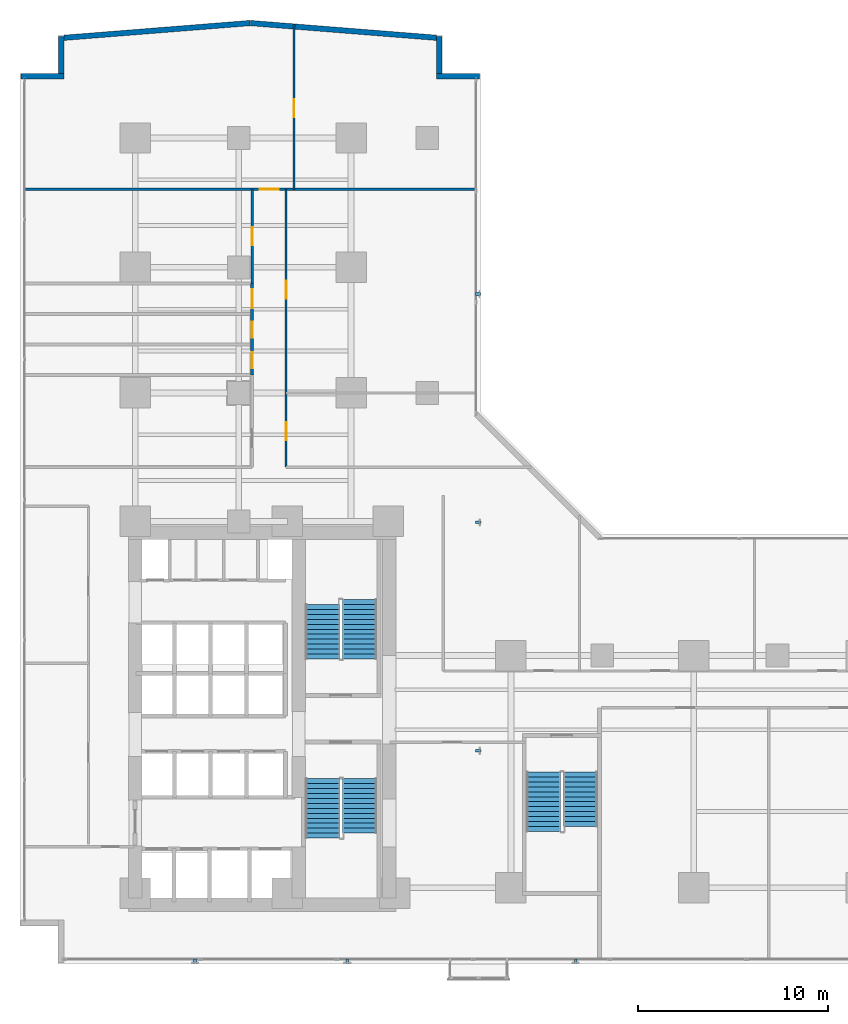
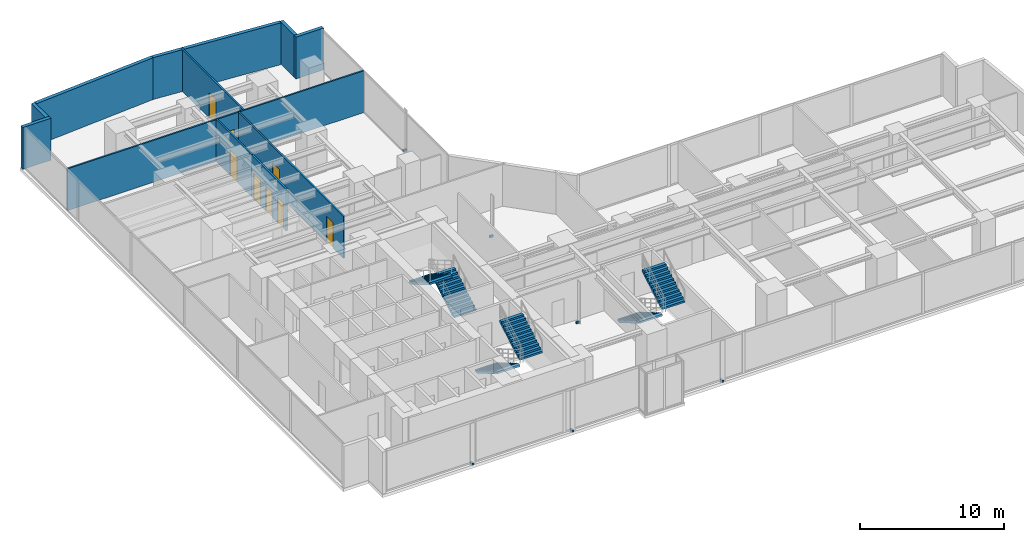
# One storey, part 24 of 26: 11 walls, 8 doors, 6 discrete accessories, 6 stair flights, 8 openings, 3 elements without a shape of their own.
"""IFC4 building model written with IfcOpenShell, lengths in metres."""

from ifc_helpers import new_model, si_unit, direction, frame, frame_2d, origin, origin_with_axes, origin_2d, place, context, subcontext, project, spatial, polyline, rectangle, outline, extrude, source, transform, mapped, material, layer, layer_set, type_object, element, fill, aggregate, save


model = new_model("IFC4")

# Units and contexts
model_context = context("Model", 3, precision=1e-05, world=origin(), true_north=direction((0.0, 1.0)))
body_context = subcontext(model_context, "Body", "Model", "MODEL_VIEW")
ifc_project = project(units=[si_unit("LENGTHUNIT", "METRE"), si_unit("AREAUNIT", "SQUARE_METRE"), si_unit("VOLUMEUNIT", "CUBIC_METRE"), si_unit("PLANEANGLEUNIT", "RADIAN"), si_unit("MASSUNIT", "GRAM", prefix="KILO")], contexts=[model_context])

# Site, building, storey
site_placement = place(None, origin())
site = spatial("IfcSite", under=ifc_project, at=site_placement, CompositionType="ELEMENT")
building_placement = place(site_placement, origin())
building = spatial("IfcBuilding", under=site, at=building_placement, Name="Kolvaren Waterfront Exchange", CompositionType="ELEMENT")
storey_placement = place(building_placement, frame((0.0, 0.0, 44.800048828125)))
storey = spatial("IfcBuildingStorey", under=building, at=storey_placement, Name="L11", CompositionType="ELEMENT", Elevation=44.800048828125)

# Walls
ifc_material_1 = material(Name="Precast concrete C40/50", Category="concrete")
ifc_layer_1 = layer(ifc_material_1, 0.280029296875, Name="Precast concrete C40/50")
ifc_layer_set_1 = layer_set([ifc_layer_1], Name="Precast concrete C40/50")
wall_type_1 = type_object("IfcWallType", Name="ARC-EXT-TERR-280", PredefinedType="SOLIDWALL", material=ifc_layer_set_1)
wall_1_placement = place(storey_placement, frame((23.300048828125, 47.840087890625, 0.0), z_axis=(0.0, 0.0, 1.0), x_axis=(1.0, 0.0, 0.0)))
element("IfcWall", 1, at=wall_1_placement, inside=storey, type_object=wall_type_1, Name="L11 notched corner spandrel pier NNE-A", PredefinedType="SOLIDWALL", context=body_context, shape_type="SweptSolid", body=[
    extrude(rectangle(XDim=2.239990234375, YDim=0.280029296875, at=frame_2d((1.1201171875, 0.0))), origin(), (0.0, 0.0, 1.0), 3.5400390625),
])
wall_2_placement = place(storey_placement, frame((23.43994140625, 47.97998046875, 0.0), z_axis=(0.0, 0.0, 1.0), x_axis=(0.0, 1.0, 0.0)))
element("IfcWall", 2, at=wall_2_placement, inside=storey, type_object=wall_type_1, Name="L11 notched corner spandrel pier NNE-B", PredefinedType="SOLIDWALL", context=body_context, shape_type="SweptSolid", body=[
    extrude(rectangle(XDim=1.9599609375, YDim=0.280029296875, at=frame_2d((0.97998046875, 0.0))), origin(), (0.0, 0.0, 1.0), 3.5400390625),
])
wall_3_placement = place(storey_placement, frame((1.4599609375, 47.840087890625, 0.0), z_axis=(0.0, 0.0, 1.0), x_axis=(1.0, 0.0, 0.0)))
element("IfcWall", 3, at=wall_3_placement, inside=storey, type_object=wall_type_1, Name="L11 notched corner spandrel pier NW-A", PredefinedType="SOLIDWALL", context=body_context, shape_type="SweptSolid", body=[
    extrude(rectangle(XDim=2.239990234375, YDim=0.280029296875, at=frame_2d((1.1201171875, 0.0))), origin(), (0.0, 0.0, 1.0), 3.5400390625),
])
wall_4_placement = place(storey_placement, frame((3.56005859375, 47.97998046875, 0.0), z_axis=(0.0, 0.0, 1.0), x_axis=(0.0, 1.0, 0.0)))
element("IfcWall", 4, at=wall_4_placement, inside=storey, type_object=wall_type_1, Name="L11 notched corner spandrel pier NW-B", PredefinedType="SOLIDWALL", context=body_context, shape_type="SweptSolid", body=[
    extrude(rectangle(XDim=1.9599609375, YDim=0.280029296875, at=frame_2d((0.97998046875, 0.0))), origin(), (0.0, 0.0, 1.0), 3.5400390625),
])
for number, where, z_axis, x_axis, name in (
    (5, (23.288330078125, 49.8642578125, 0.0), (0.0, 0.0, 1.0), (-0.996878337682, 0.078953023125, 0.0), "L11 north prow faceted facade wall 1"),
    (6, (13.49267578125, 50.638916015625, 0.0), (0.0, 0.0, 1.0), (-0.996878337682, -0.078953023125, 0.0), "L11 north prow faceted facade wall 2"),
):
    element("IfcWall", number, at=place(storey_placement, frame(where, z_axis=z_axis, x_axis=x_axis)), inside=storey, type_object=wall_type_1, Name=name, PredefinedType="SOLIDWALL", context=body_context, shape_type="SweptSolid", body=[
        extrude(rectangle(XDim=9.8115234375, YDim=0.280029296875, at=frame_2d((4.90576171875, 0.0))), origin(), (0.0, 0.0, 1.0), 3.5400390625),
    ])

# Wall, opening, door
ifc_material_2 = material(Name="Acoustic gypsum steel stud", Category="steel")
ifc_layer_2 = layer(ifc_material_2, 0.125, Name="Acoustic gypsum steel stud")
ifc_layer_set_2 = layer_set([ifc_layer_2], Name="Acoustic gypsum steel stud")
wall_type_2 = type_object("IfcWallType", Name="ARC-PART-125", PredefinedType="PARTITIONING", material=ifc_layer_set_2)
wall_5_placement = place(storey_placement, frame((13.60009765625, 36.949951171875, 0.0), z_axis=(0.0, 0.0, 1.0), x_axis=(0.0, 1.0, 0.0)))
wall_5 = element("IfcWall", 7, at=wall_5_placement, inside=storey, type_object=wall_type_2, Name="L11 interior wall PW-L11-NW-CORR", PredefinedType="PARTITIONING", context=body_context, shape_type="SweptSolid", body=[
    extrude(rectangle(XDim=4.949951171875, YDim=0.125, at=frame_2d((2.47509765625, 0.0))), origin(), (0.0, 0.0, 1.0), 3.5400390625),
])
opening_1_placement = place(wall_5_placement, frame((2.0, 0.0, 0.0)))
opening_1 = element("IfcOpeningElement", 8, at=opening_1_placement, cuts=wall_5, Name="Opening D02", PredefinedType="OPENING", context=body_context, shape_type="SweptSolid", body=[
    extrude(rectangle(XDim=0.949951171875, YDim=2.14990234375, at=frame_2d((0.47509765625, 1.074951171875))), frame((0.0, 0.072509765625, 0.0), z_axis=(0.0, -1.0, 0.0), x_axis=(1.0, 0.0, 0.0)), (0.0, 0.0, 1.0), 0.14501953125),
])
ifc_material_3 = material(Name="Oak veneer acoustic timber", Category="wood")
door_type_1 = type_object("IfcDoorType", Name="ARC-DR-950", OperationType="NOTDEFINED", PredefinedType="DOOR", material=ifc_material_3)
door_1_placement = place(opening_1_placement, origin())
door_1 = element("IfcDoor", 9, at=door_1_placement, inside=storey, type_object=door_type_1, Name="L11 door DR-L11-NW-D-1 (D02)", OperationType="SINGLE_SWING_LEFT", OverallHeight=2.14990234375, OverallWidth=0.949951171875, PredefinedType="DOOR", context=body_context, shape_type="SweptSolid", body=[
    extrude(rectangle(XDim=0.949951171875, YDim=2.14990234375, at=frame_2d((0.47509765625, 1.074951171875))), frame((0.0, 0.02490234375, 0.0), z_axis=(0.0, -1.0, 0.0), x_axis=(1.0, 0.0, 0.0)), (0.0, 0.0, 1.0), 0.050048828125),
])
fill(opening_1, door_1)

wall_6_placement = place(storey_placement, frame((1.639892578125, 41.89990234375, 0.0), z_axis=(0.0, 0.0, 1.0), x_axis=(1.0, 0.0, 0.0)))
wall_6 = element("IfcWall", 10, at=wall_6_placement, inside=storey, type_object=wall_type_2, Name="L11 interior wall PW-L11-NTIP-S", PredefinedType="PARTITIONING", context=body_context, shape_type="SweptSolid", body=[
    extrude(rectangle(XDim=23.72021484375, YDim=0.125, at=frame_2d((11.860107421875, 0.0))), origin(), (0.0, 0.0, 1.0), 3.5400390625),
])
opening_2_placement = place(wall_6_placement, frame((12.35009765625, 0.0, 0.0)))
opening_2 = element("IfcOpeningElement", 11, at=opening_2_placement, cuts=wall_6, Name="Opening D03", PredefinedType="OPENING", context=body_context, shape_type="SweptSolid", body=[
    extrude(rectangle(XDim=1.0, YDim=2.199951171875, at=frame_2d((0.5, 1.10009765625))), frame((0.0, 0.072509765625, 0.0), z_axis=(0.0, -1.0, 0.0), x_axis=(1.0, 0.0, 0.0)), (0.0, 0.0, 1.0), 0.14501953125),
])
ifc_material_4 = material(Name="Oak veneer accessible timber", Category="wood")
door_type_2 = type_object("IfcDoorType", Name="ARC-DR-1000", OperationType="NOTDEFINED", PredefinedType="DOOR", material=ifc_material_4)
door_2_placement = place(opening_2_placement, origin())
door_2 = element("IfcDoor", 12, at=door_2_placement, inside=storey, type_object=door_type_2, Name="L11 door DR-L11-NTIPW-D (D03)", OperationType="SINGLE_SWING_RIGHT", OverallHeight=2.199951171875, OverallWidth=1.0, PredefinedType="DOOR", context=body_context, shape_type="SweptSolid", body=[
    extrude(rectangle(XDim=1.0, YDim=2.199951171875, at=frame_2d((0.5, 1.10009765625))), frame((0.0, 0.02490234375, 0.0), z_axis=(0.0, -1.0, 0.0), x_axis=(1.0, 0.0, 0.0)), (0.0, 0.0, 1.0), 0.050048828125),
])
fill(opening_2, door_2)

wall_7_placement = place(storey_placement, frame((15.800048828125, 41.89990234375, 0.0), z_axis=(0.0, 0.0, 1.0), x_axis=(0.0, 1.0, 0.0)))
wall_7 = element("IfcWall", 13, at=wall_7_placement, inside=storey, type_object=wall_type_2, Name="L11 interior wall PW-L11-NTIP-DIV", PredefinedType="PARTITIONING", context=body_context, shape_type="SweptSolid", body=[
    extrude(rectangle(XDim=8.66015625, YDim=0.125, at=frame_2d((4.330078125, 0.0))), origin(), (0.0, 0.0, 1.0), 3.5400390625),
])
opening_3_placement = place(wall_7_placement, frame((3.77880859375, 0.0, 0.0)))
opening_3 = element("IfcOpeningElement", 14, at=opening_3_placement, cuts=wall_7, Name="Opening D02", PredefinedType="OPENING", context=body_context, shape_type="SweptSolid", body=[
    extrude(rectangle(XDim=0.949951171875, YDim=2.14990234375, at=frame_2d((0.47509765625, 1.074951171875))), frame((0.0, 0.072509765625, 0.0), z_axis=(0.0, -1.0, 0.0), x_axis=(1.0, 0.0, 0.0)), (0.0, 0.0, 1.0), 0.14501953125),
])
door_3_placement = place(opening_3_placement, origin())
door_3 = element("IfcDoor", 15, at=door_3_placement, inside=storey, type_object=door_type_1, Name="L11 door DR-L11-NTIPE-D (D02)", OperationType="SINGLE_SWING_LEFT", OverallHeight=2.14990234375, OverallWidth=0.949951171875, PredefinedType="DOOR", context=body_context, shape_type="SweptSolid", body=[
    extrude(rectangle(XDim=0.949951171875, YDim=2.14990234375, at=frame_2d((0.47509765625, 1.074951171875))), frame((0.0, 0.02490234375, 0.0), z_axis=(0.0, -1.0, 0.0), x_axis=(1.0, 0.0, 0.0)), (0.0, 0.0, 1.0), 0.050048828125),
])
fill(opening_3, door_3)

# Wall, openings, doors
wall_8_placement = place(storey_placement, frame((15.3798828125, 27.300048828125, 0.0), z_axis=(0.0, 0.0, 1.0), x_axis=(0.0, 1.0, 0.0)))
wall_8 = element("IfcWall", 16, at=wall_8_placement, inside=storey, type_object=wall_type_2, Name="L11 interior wall PW-L11-NE-CORR", PredefinedType="PARTITIONING", context=body_context, shape_type="SweptSolid", body=[
    extrude(rectangle(XDim=14.599853515625, YDim=0.125, at=frame_2d((7.2998046875, 0.0))), origin(), (0.0, 0.0, 1.0), 3.5400390625),
])
opening_4_placement = place(wall_8_placement, frame((1.4033203125, 0.0, 0.0)))
opening_4 = element("IfcOpeningElement", 17, at=opening_4_placement, cuts=wall_8, Name="Opening D02", PredefinedType="OPENING", context=body_context, shape_type="SweptSolid", body=[
    extrude(rectangle(XDim=0.949951171875, YDim=2.14990234375, at=frame_2d((0.47509765625, 1.074951171875))), frame((0.0, 0.072509765625, 0.0), z_axis=(0.0, -1.0, 0.0), x_axis=(1.0, 0.0, 0.0)), (0.0, 0.0, 1.0), 0.14501953125),
])
opening_5_placement = place(wall_8_placement, frame((8.845947265625, 0.0, 0.0)))
opening_5 = element("IfcOpeningElement", 18, at=opening_5_placement, cuts=wall_8, Name="Opening D02", PredefinedType="OPENING", context=body_context, shape_type="SweptSolid", body=[
    extrude(rectangle(XDim=0.949951171875, YDim=2.14990234375, at=frame_2d((0.47509765625, 1.074951171875))), frame((0.0, 0.072509765625, 0.0), z_axis=(0.0, -1.0, 0.0), x_axis=(1.0, 0.0, 0.0)), (0.0, 0.0, 1.0), 0.14501953125),
])
door_4_placement = place(opening_4_placement, origin())
door_4 = element("IfcDoor", 19, at=door_4_placement, inside=storey, type_object=door_type_1, Name="L11 door DR-L11-NE-D-1 (D02)", OperationType="SINGLE_SWING_RIGHT", OverallHeight=2.14990234375, OverallWidth=0.949951171875, PredefinedType="DOOR", context=body_context, shape_type="SweptSolid", body=[
    extrude(rectangle(XDim=0.949951171875, YDim=2.14990234375, at=frame_2d((0.47509765625, 1.074951171875))), frame((0.0, 0.02490234375, 0.0), z_axis=(0.0, -1.0, 0.0), x_axis=(1.0, 0.0, 0.0)), (0.0, 0.0, 1.0), 0.050048828125),
])
fill(opening_4, door_4)
door_5_placement = place(opening_5_placement, origin())
door_5 = element("IfcDoor", 20, at=door_5_placement, inside=storey, type_object=door_type_1, Name="L11 door DR-L11-NE-D-2 (D02)", OperationType="SINGLE_SWING_LEFT", OverallHeight=2.14990234375, OverallWidth=0.949951171875, PredefinedType="DOOR", context=body_context, shape_type="SweptSolid", body=[
    extrude(rectangle(XDim=0.949951171875, YDim=2.14990234375, at=frame_2d((0.47509765625, 1.074951171875))), frame((0.0, 0.02490234375, 0.0), z_axis=(0.0, -1.0, 0.0), x_axis=(1.0, 0.0, 0.0)), (0.0, 0.0, 1.0), 0.050048828125),
])
fill(opening_5, door_5)

ifc_material_5 = material(Name="Moisture-resistant gypsum stud")
ifc_layer_3 = layer(ifc_material_5, 0.14990234375, Name="Moisture-resistant gypsum stud")
ifc_layer_set_3 = layer_set([ifc_layer_3], Name="Moisture-resistant gypsum stud")
wall_type_3 = type_object("IfcWallType", Name="ARC-PLUMB-150", PredefinedType="PLUMBINGWALL", material=ifc_layer_set_3)
wall_9_placement = place(storey_placement, frame((13.60009765625, 32.14990234375, 0.0), z_axis=(0.0, 0.0, 1.0), x_axis=(0.0, 1.0, 0.0)))
wall_9 = element("IfcWall", 21, at=wall_9_placement, inside=storey, type_object=wall_type_3, Name="L11 interior wall PW-L11-WC-E", PredefinedType="PLUMBINGWALL", context=body_context, shape_type="SweptSolid", body=[
    extrude(rectangle(XDim=4.800048828125, YDim=0.14990234375, at=frame_2d((2.39990234375, 0.0))), origin(), (0.0, 0.0, 1.0), 3.5400390625),
])
opening_6_placement = place(wall_9_placement, frame((0.35009765625, 0.0, 0.0)))
opening_6 = element("IfcOpeningElement", 22, at=opening_6_placement, cuts=wall_9, Name="Opening D01", PredefinedType="OPENING", context=body_context, shape_type="SweptSolid", body=[
    extrude(rectangle(XDim=0.85009765625, YDim=2.14990234375, at=frame_2d((0.425048828125, 1.074951171875))), frame((0.0, 0.0849609375, 0.0), z_axis=(0.0, -1.0, 0.0), x_axis=(1.0, 0.0, 0.0)), (0.0, 0.0, 1.0), 0.169921875),
])
opening_7_placement = place(wall_9_placement, frame((1.949951171875, 0.0, 0.0)))
opening_7 = element("IfcOpeningElement", 23, at=opening_7_placement, cuts=wall_9, Name="Opening D01", PredefinedType="OPENING", context=body_context, shape_type="SweptSolid", body=[
    extrude(rectangle(XDim=0.85009765625, YDim=2.14990234375, at=frame_2d((0.425048828125, 1.074951171875))), frame((0.0, 0.0849609375, 0.0), z_axis=(0.0, -1.0, 0.0), x_axis=(1.0, 0.0, 0.0)), (0.0, 0.0, 1.0), 0.169921875),
])
opening_8_placement = place(wall_9_placement, frame((3.5, 0.0, 0.0)))
opening_8 = element("IfcOpeningElement", 24, at=opening_8_placement, cuts=wall_9, Name="Opening D03", PredefinedType="OPENING", context=body_context, shape_type="SweptSolid", body=[
    extrude(rectangle(XDim=1.0, YDim=2.199951171875, at=frame_2d((0.5, 1.10009765625))), frame((0.0, 0.0849609375, 0.0), z_axis=(0.0, -1.0, 0.0), x_axis=(1.0, 0.0, 0.0)), (0.0, 0.0, 1.0), 0.169921875),
])
door_6_placement = place(opening_8_placement, origin())
door_6 = element("IfcDoor", 25, at=door_6_placement, inside=storey, type_object=door_type_2, Name="L11 door DR-L11-WCA-D (D03)", OperationType="SINGLE_SWING_LEFT", OverallHeight=2.199951171875, OverallWidth=1.0, PredefinedType="DOOR", context=body_context, shape_type="SweptSolid", body=[
    extrude(rectangle(XDim=1.0, YDim=2.199951171875, at=frame_2d((0.5, 1.10009765625))), frame((0.0, 0.02490234375, 0.0), z_axis=(0.0, -1.0, 0.0), x_axis=(1.0, 0.0, 0.0)), (0.0, 0.0, 1.0), 0.050048828125),
])
fill(opening_8, door_6)
ifc_material_6 = material(Name="Oak veneer timber leaf", Category="wood")
door_type_3 = type_object("IfcDoorType", Name="ARC-DR-900", OperationType="NOTDEFINED", PredefinedType="DOOR", material=ifc_material_6)
door_7_placement = place(opening_6_placement, origin())
door_7 = element("IfcDoor", 26, at=door_7_placement, inside=storey, type_object=door_type_3, Name="L11 door DR-L11-WCM-D (D01)", OperationType="SINGLE_SWING_LEFT", OverallHeight=2.14990234375, OverallWidth=0.85009765625, PredefinedType="DOOR", context=body_context, shape_type="SweptSolid", body=[
    extrude(rectangle(XDim=0.85009765625, YDim=2.14990234375, at=frame_2d((0.425048828125, 1.074951171875))), frame((0.0, 0.02490234375, 0.0), z_axis=(0.0, -1.0, 0.0), x_axis=(1.0, 0.0, 0.0)), (0.0, 0.0, 1.0), 0.050048828125),
])
fill(opening_6, door_7)
door_8_placement = place(opening_7_placement, origin())
door_8 = element("IfcDoor", 27, at=door_8_placement, inside=storey, type_object=door_type_3, Name="L11 door DR-L11-WCF-D (D01)", OperationType="SINGLE_SWING_RIGHT", OverallHeight=2.14990234375, OverallWidth=0.85009765625, PredefinedType="DOOR", context=body_context, shape_type="SweptSolid", body=[
    extrude(rectangle(XDim=0.85009765625, YDim=2.14990234375, at=frame_2d((0.425048828125, 1.074951171875))), frame((0.0, 0.02490234375, 0.0), z_axis=(0.0, -1.0, 0.0), x_axis=(1.0, 0.0, 0.0)), (0.0, 0.0, 1.0), 0.050048828125),
])
fill(opening_7, door_8)

# Stair, stair flights
ifc_material_7 = material(Name="Concrete C40/50", Category="concrete")
stair_type = type_object("IfcStairType", Name="ARC-STAIR-3800", PredefinedType="HALF_TURN_STAIR", material=ifc_material_7)
stair_1_placement = place(storey_placement, origin())
stair_1 = element("IfcStair", 28, at=stair_1_placement, inside=storey, type_object=stair_type, Name="L11 Smoke-proof exit stair ST1", PredefinedType="HALF_TURN_STAIR")
stair_flight_type = type_object("IfcStairFlightType", Name="ARC-FLIGHT-3800", PredefinedType="STRAIGHT", material=ifc_material_7)
stair_flight_1_placement = place(storey_placement, frame((17.300048828125, 10.929931640625, 0.0), z_axis=(0.0, 0.0, 1.0), x_axis=(0.0, -1.0, 0.0)))
stair_flight_1 = element("IfcStairFlight", 29, at=stair_flight_1_placement, type_object=stair_flight_type, Name="ST1 flight 1", NumberOfRisers=13, NumberOfTreads=12, PredefinedType="STRAIGHT", RiserHeight=0.152, TreadLength=0.26, context=body_context, shape_type="SweptSolid", body=[
    extrude(outline(polyline([(0.0, 0.0), (0.0, 0.152099609375), (0.260009765625, 0.152099609375), (0.260009765625, 0.303955078125), (0.52001953125, 0.303955078125), (0.52001953125, 0.4560546875), (0.780029296875, 0.4560546875), (0.780029296875, 0.60791015625), (1.0400390625, 0.60791015625), (1.0400390625, 0.760009765625), (1.300048828125, 0.760009765625), (1.300048828125, 0.912109375), (1.56005859375, 0.912109375), (1.56005859375, 1.06396484375), (1.820068359375, 1.06396484375), (1.820068359375, 1.216064453125), (2.080078125, 1.216064453125), (2.080078125, 1.367919921875), (2.340087890625, 1.367919921875), (2.340087890625, 1.52001953125), (2.60009765625, 1.52001953125), (2.60009765625, 1.672119140625), (2.860107421875, 1.672119140625), (2.860107421875, 1.823974609375), (3.1201171875, 1.823974609375), (3.1201171875, 1.97607421875), (3.1201171875, 1.650390625), (0.297119140625, 0.0), (0.0, 0.0)])), frame((0.0, 0.89990234375, 0.0), z_axis=(0.0, -1.0, 0.0), x_axis=(1.0, 0.0, 0.0)), (0.0, 0.0, 1.0), 1.800048828125),
])
stair_flight_2_placement = place(storey_placement, frame((19.260009765625, 8.070068359375, 1.975830078125), z_axis=(0.0, 0.0, 1.0), x_axis=(0.0, 1.0, 0.0)))
stair_flight_2 = element("IfcStairFlight", 30, at=stair_flight_2_placement, type_object=stair_flight_type, Name="ST1 flight 2", NumberOfRisers=12, NumberOfTreads=11, PredefinedType="STRAIGHT", RiserHeight=0.152, TreadLength=0.26, context=body_context, shape_type="SweptSolid", body=[
    extrude(outline(polyline([(0.0, 0.0), (0.0, 0.152099609375), (0.260009765625, 0.152099609375), (0.260009765625, 0.303955078125), (0.52001953125, 0.303955078125), (0.52001953125, 0.4560546875), (0.780029296875, 0.4560546875), (0.780029296875, 0.60791015625), (1.0400390625, 0.60791015625), (1.0400390625, 0.760009765625), (1.300048828125, 0.760009765625), (1.300048828125, 0.912109375), (1.56005859375, 0.912109375), (1.56005859375, 1.06396484375), (1.820068359375, 1.06396484375), (1.820068359375, 1.216064453125), (2.080078125, 1.216064453125), (2.080078125, 1.367919921875), (2.340087890625, 1.367919921875), (2.340087890625, 1.52001953125), (2.60009765625, 1.52001953125), (2.60009765625, 1.672119140625), (2.860107421875, 1.672119140625), (2.860107421875, 1.823974609375), (2.860107421875, 1.498291015625), (0.297119140625, 0.0), (0.0, 0.0)])), frame((0.0, 0.89990234375, 0.0), z_axis=(0.0, -1.0, 0.0), x_axis=(1.0, 0.0, 0.0)), (0.0, 0.0, 1.0), 1.800048828125),
])
aggregate(stair_1, [stair_flight_1, stair_flight_2])

stair_2_placement = place(storey_placement, origin())
stair_2 = element("IfcStair", 31, at=stair_2_placement, inside=storey, type_object=stair_type, Name="L11 Smoke-proof exit stair ST2", PredefinedType="HALF_TURN_STAIR")
stair_flight_3_placement = place(storey_placement, frame((19.260009765625, 17.219970703125, 0.0), z_axis=(0.0, 0.0, 1.0), x_axis=(0.0, 1.0, 0.0)))
stair_flight_3 = element("IfcStairFlight", 32, at=stair_flight_3_placement, type_object=stair_flight_type, Name="ST2 flight 1", NumberOfRisers=13, NumberOfTreads=12, PredefinedType="STRAIGHT", RiserHeight=0.152, TreadLength=0.26, context=body_context, shape_type="SweptSolid", body=[
    extrude(outline(polyline([(0.0, 0.0), (0.0, 0.152099609375), (0.260009765625, 0.152099609375), (0.260009765625, 0.303955078125), (0.52001953125, 0.303955078125), (0.52001953125, 0.4560546875), (0.780029296875, 0.4560546875), (0.780029296875, 0.60791015625), (1.0400390625, 0.60791015625), (1.0400390625, 0.760009765625), (1.300048828125, 0.760009765625), (1.300048828125, 0.912109375), (1.56005859375, 0.912109375), (1.56005859375, 1.06396484375), (1.820068359375, 1.06396484375), (1.820068359375, 1.216064453125), (2.080078125, 1.216064453125), (2.080078125, 1.367919921875), (2.340087890625, 1.367919921875), (2.340087890625, 1.52001953125), (2.60009765625, 1.52001953125), (2.60009765625, 1.672119140625), (2.860107421875, 1.672119140625), (2.860107421875, 1.823974609375), (3.1201171875, 1.823974609375), (3.1201171875, 1.97607421875), (3.1201171875, 1.650390625), (0.297119140625, 0.0), (0.0, 0.0)])), frame((0.0, 0.89990234375, 0.0), z_axis=(0.0, -1.0, 0.0), x_axis=(1.0, 0.0, 0.0)), (0.0, 0.0, 1.0), 1.800048828125),
])
stair_flight_4_placement = place(storey_placement, frame((17.300048828125, 20.080078125, 1.975830078125), z_axis=(0.0, 0.0, 1.0), x_axis=(0.0, -1.0, 0.0)))
stair_flight_4 = element("IfcStairFlight", 33, at=stair_flight_4_placement, type_object=stair_flight_type, Name="ST2 flight 2", NumberOfRisers=12, NumberOfTreads=11, PredefinedType="STRAIGHT", RiserHeight=0.152, TreadLength=0.26, context=body_context, shape_type="SweptSolid", body=[
    extrude(outline(polyline([(0.0, 0.0), (0.0, 0.152099609375), (0.260009765625, 0.152099609375), (0.260009765625, 0.303955078125), (0.52001953125, 0.303955078125), (0.52001953125, 0.4560546875), (0.780029296875, 0.4560546875), (0.780029296875, 0.60791015625), (1.0400390625, 0.60791015625), (1.0400390625, 0.760009765625), (1.300048828125, 0.760009765625), (1.300048828125, 0.912109375), (1.56005859375, 0.912109375), (1.56005859375, 1.06396484375), (1.820068359375, 1.06396484375), (1.820068359375, 1.216064453125), (2.080078125, 1.216064453125), (2.080078125, 1.367919921875), (2.340087890625, 1.367919921875), (2.340087890625, 1.52001953125), (2.60009765625, 1.52001953125), (2.60009765625, 1.672119140625), (2.860107421875, 1.672119140625), (2.860107421875, 1.823974609375), (2.860107421875, 1.498291015625), (0.297119140625, 0.0), (0.0, 0.0)])), frame((0.0, 0.89990234375, 0.0), z_axis=(0.0, -1.0, 0.0), x_axis=(1.0, 0.0, 0.0)), (0.0, 0.0, 1.0), 1.800048828125),
])
aggregate(stair_2, [stair_flight_3, stair_flight_4])

stair_3_placement = place(storey_placement, origin())
stair_3 = element("IfcStair", 34, at=stair_3_placement, inside=storey, type_object=stair_type, Name="L11 Exit stair ST3", PredefinedType="HALF_TURN_STAIR")
stair_flight_5_placement = place(storey_placement, frame((28.89990234375, 11.280029296875, 0.0), z_axis=(0.0, 0.0, 1.0), x_axis=(0.0, -1.0, 0.0)))
stair_flight_5 = element("IfcStairFlight", 35, at=stair_flight_5_placement, type_object=stair_flight_type, Name="ST3 flight 1", NumberOfRisers=13, NumberOfTreads=12, PredefinedType="STRAIGHT", RiserHeight=0.152, TreadLength=0.26, context=body_context, shape_type="SweptSolid", body=[
    extrude(outline(polyline([(0.0, 0.0), (0.0, 0.152099609375), (0.260009765625, 0.152099609375), (0.260009765625, 0.303955078125), (0.52001953125, 0.303955078125), (0.52001953125, 0.4560546875), (0.780029296875, 0.4560546875), (0.780029296875, 0.60791015625), (1.0400390625, 0.60791015625), (1.0400390625, 0.760009765625), (1.300048828125, 0.760009765625), (1.300048828125, 0.912109375), (1.56005859375, 0.912109375), (1.56005859375, 1.06396484375), (1.820068359375, 1.06396484375), (1.820068359375, 1.216064453125), (2.080078125, 1.216064453125), (2.080078125, 1.367919921875), (2.340087890625, 1.367919921875), (2.340087890625, 1.52001953125), (2.60009765625, 1.52001953125), (2.60009765625, 1.672119140625), (2.860107421875, 1.672119140625), (2.860107421875, 1.823974609375), (3.1201171875, 1.823974609375), (3.1201171875, 1.97607421875), (3.1201171875, 1.650390625), (0.297119140625, 0.0), (0.0, 0.0)])), frame((0.0, 0.89990234375, 0.0), z_axis=(0.0, -1.0, 0.0), x_axis=(1.0, 0.0, 0.0)), (0.0, 0.0, 1.0), 1.800048828125),
])
stair_flight_6_placement = place(storey_placement, frame((30.860107421875, 8.419921875, 1.975830078125), z_axis=(0.0, 0.0, 1.0), x_axis=(0.0, 1.0, 0.0)))
stair_flight_6 = element("IfcStairFlight", 36, at=stair_flight_6_placement, type_object=stair_flight_type, Name="ST3 flight 2", NumberOfRisers=12, NumberOfTreads=11, PredefinedType="STRAIGHT", RiserHeight=0.152, TreadLength=0.26, context=body_context, shape_type="SweptSolid", body=[
    extrude(outline(polyline([(0.0, 0.0), (0.0, 0.152099609375), (0.260009765625, 0.152099609375), (0.260009765625, 0.303955078125), (0.52001953125, 0.303955078125), (0.52001953125, 0.4560546875), (0.780029296875, 0.4560546875), (0.780029296875, 0.60791015625), (1.0400390625, 0.60791015625), (1.0400390625, 0.760009765625), (1.300048828125, 0.760009765625), (1.300048828125, 0.912109375), (1.56005859375, 0.912109375), (1.56005859375, 1.06396484375), (1.820068359375, 1.06396484375), (1.820068359375, 1.216064453125), (2.080078125, 1.216064453125), (2.080078125, 1.367919921875), (2.340087890625, 1.367919921875), (2.340087890625, 1.52001953125), (2.60009765625, 1.52001953125), (2.60009765625, 1.672119140625), (2.860107421875, 1.672119140625), (2.860107421875, 1.823974609375), (2.860107421875, 1.498291015625), (0.297119140625, 0.0), (0.0, 0.0)])), frame((0.0, 0.89990234375, 0.0), z_axis=(0.0, -1.0, 0.0), x_axis=(1.0, 0.0, 0.0)), (0.0, 0.0, 1.0), 1.800048828125),
])
aggregate(stair_3, [stair_flight_5, stair_flight_6])

# Discrete accessories
ifc_material_8 = material(Name="Stainless steel 316", Category="steel")
discrete_accessory_type = type_object("IfcDiscreteAccessoryType", Name="ARC-BRK-FIN", PredefinedType="BRACKET", material=ifc_material_8)
shared_shape = source(origin_with_axes(), body_context, "Body", "SweptSolid", [
    extrude(rectangle(XDim=0.280029296875, YDim=0.139892578125, at=origin_2d()), origin(), (0.0, 0.0, 1.0), 0.159912109375),
])
for number, where, z_axis, x_axis, name in (
    (37, (10.60009765625, 1.320068359375, 0.0), (0.0, 0.0, 1.0), (0.0, -1.0, 0.0), "L11 bronze fin anchor bracket FIN-L11-S1"),
    (38, (18.60009765625, 1.320068359375, 0.0), (0.0, 0.0, 1.0), (0.0, -1.0, 0.0), "L11 bronze fin anchor bracket FIN-L11-S2"),
    (39, (30.60009765625, 1.320068359375, 0.0), (0.0, 0.0, 1.0), (0.0, -1.0, 0.0), "L11 bronze fin anchor bracket FIN-L11-S3"),
    (40, (25.47998046875, 12.39990234375, 0.0), (0.0, 0.0, 1.0), (1.0, 0.0, 0.0), "L11 bronze fin anchor bracket FIN-L11-E1"),
    (41, (25.47998046875, 24.39990234375, 0.0), (0.0, 0.0, 1.0), (1.0, 0.0, 0.0), "L11 bronze fin anchor bracket FIN-L11-E2"),
    (42, (25.47998046875, 36.39990234375, 0.0), (0.0, 0.0, 1.0), (1.0, 0.0, 0.0), "L11 bronze fin anchor bracket FIN-L11-E3"),
):
    element("IfcDiscreteAccessory", number, at=place(storey_placement, frame(where, z_axis=z_axis, x_axis=x_axis)), inside=storey, type_object=discrete_accessory_type, Name=name, PredefinedType="BRACKET", context=body_context, shape_type="MappedRepresentation", body=[
        mapped(shared_shape, transform((0.0, 0.0, 0.0), x_axis=(1.0, 0.0, 0.0), y_axis=(0.0, 1.0, 0.0), z_axis=(0.0, 0.0, 1.0), scale=1.0)),
    ])

save(model, "model.ifc")
